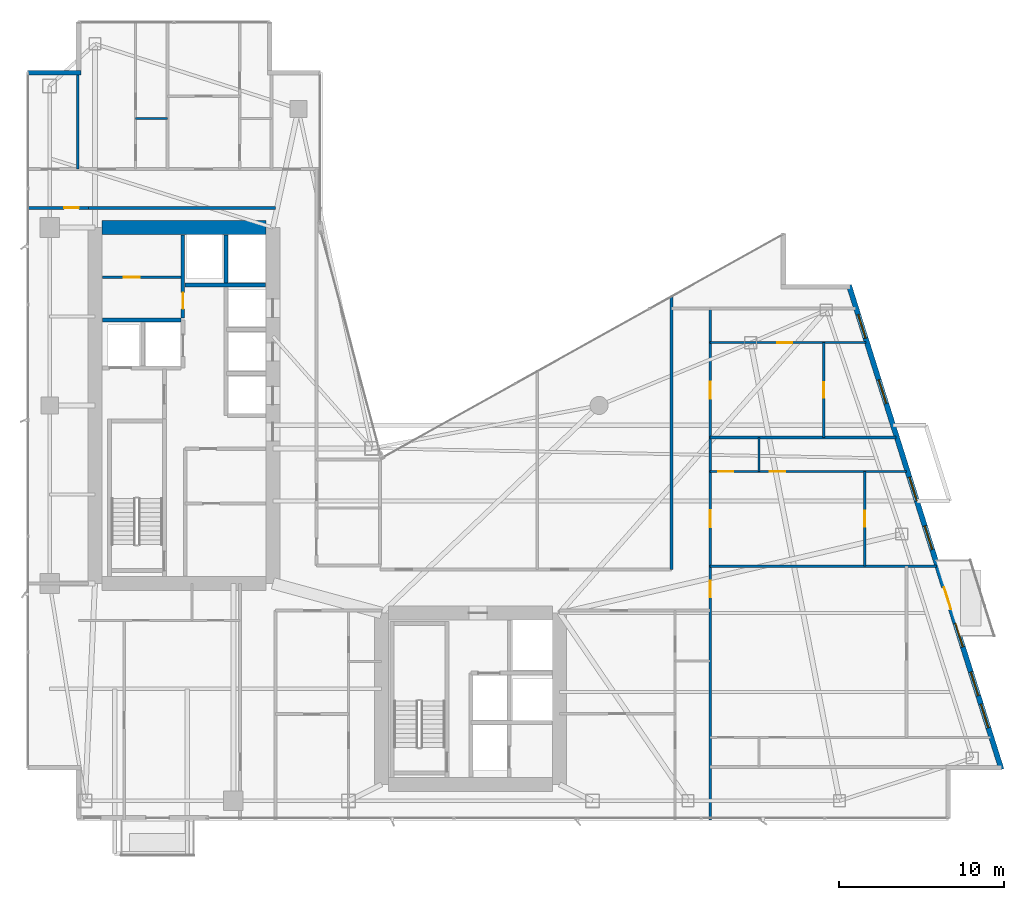
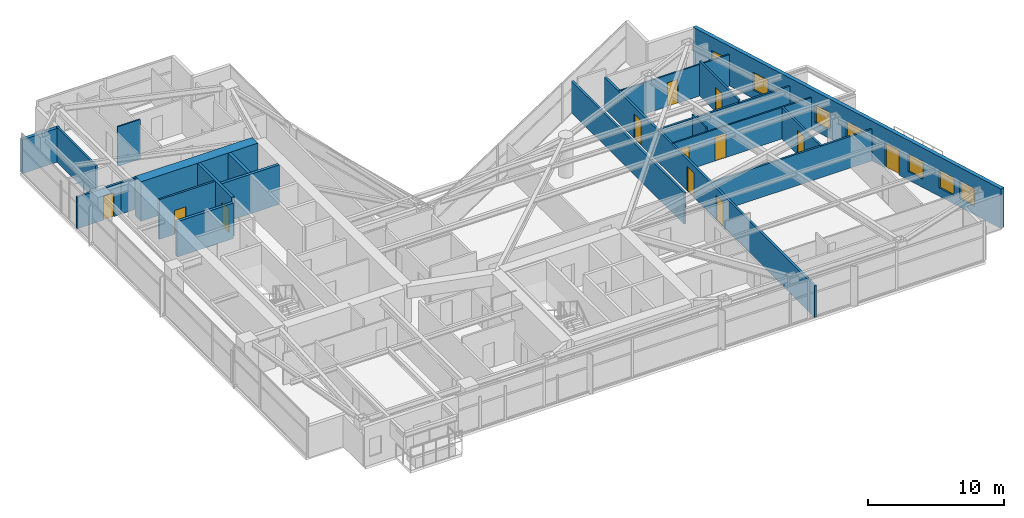
# One storey, part 24 of 28: 21 walls, 12 doors, 7 windows, 19 openings.
"""IFC4 building model written with IfcOpenShell, lengths in metres."""

from ifc_helpers import new_model, si_unit, direction, frame, frame_2d, origin, place, context, subcontext, project, spatial, rectangle, extrude, material, layer, layer_set, type_object, element, fill, save


model = new_model("IFC4")

# Units and contexts
model_context = context("Model", 3, precision=1e-05, world=origin(), true_north=direction((0.0, 1.0)))
body_context = subcontext(model_context, "Body", "Model", "MODEL_VIEW")
ifc_project = project(units=[si_unit("LENGTHUNIT", "METRE"), si_unit("AREAUNIT", "SQUARE_METRE"), si_unit("VOLUMEUNIT", "CUBIC_METRE"), si_unit("PLANEANGLEUNIT", "RADIAN"), si_unit("MASSUNIT", "GRAM", prefix="KILO")], contexts=[model_context])

# Site, building, storey
site_placement = place(None, origin())
site = spatial("IfcSite", under=ifc_project, at=site_placement, CompositionType="ELEMENT")
building_placement = place(site_placement, origin())
building = spatial("IfcBuilding", under=site, at=building_placement, Name="Calvorn Quay Hotel", CompositionType="ELEMENT")
storey_placement = place(building_placement, frame((0.0, 0.0, 131.60009765625)))
storey = spatial("IfcBuildingStorey", under=building, at=storey_placement, Name="L32", CompositionType="ELEMENT", Elevation=131.60009765625)

# Wall
ifc_material_1 = material(Name="Concrete C50", Category="concrete")
ifc_layer_1 = layer(ifc_material_1, 0.85009765625)
ifc_layer_set_1 = layer_set([ifc_layer_1], Name="WL-CORE-850")
wall_type_1 = type_object("IfcWallType", Name="WL-CORE-850", PredefinedType="SHEAR", material=ifc_layer_set_1)
wall_1_placement = place(storey_placement, frame((4.625, 38.39990234375, 0.0), z_axis=(0.0, 0.0, 1.0), x_axis=(1.0, 0.0, 0.0)))
element("IfcWall", 1, at=wall_1_placement, inside=storey, type_object=wall_type_1, Name="West Core Shear Wall N (L32)", PredefinedType="SHEAR", context=body_context, shape_type="SweptSolid", body=[
    extrude(rectangle(XDim=9.949951171875, YDim=0.85009765625, at=frame_2d((4.97509765625, 0.0))), origin(), (0.0, 0.0, 1.0), 3.559814453125),
])

# Wall, opening, door
ifc_material_2 = material(Name="Acoustic Fireboard Steel-Stud Partition", Category="steel")
ifc_layer_2 = layer(ifc_material_2, 0.179931640625)
ifc_layer_set_2 = layer_set([ifc_layer_2], Name="WL-CORR-FIRE-180")
wall_type_2 = type_object("IfcWallType", Name="WL-CORR-FIRE-180", PredefinedType="PARTITIONING", material=ifc_layer_set_2)
wall_2_placement = place(storey_placement, frame((0.080078125, 39.60009765625, 0.0), z_axis=(0.0, 0.0, 1.0), x_axis=(1.0, 0.0, 0.0)))
wall_2 = element("IfcWall", 2, at=wall_2_placement, inside=storey, type_object=wall_type_2, Name="Partition Wall L32-WL-WBAY-N-DOOR", PredefinedType="PARTITIONING", context=body_context, shape_type="SweptSolid", body=[
    extrude(rectangle(XDim=3.724853515625, YDim=0.179931640625, at=frame_2d((1.8623046875, 0.0))), origin(), (0.0, 0.0, 1.0), 2.83984375),
])
opening_1_placement = place(wall_2_placement, frame((2.25, 0.0, 0.0)))
opening_1 = element("IfcOpeningElement", 3, at=opening_1_placement, cuts=wall_2, Name="Opening D-L32-WBN", PredefinedType="OPENING", context=body_context, shape_type="SweptSolid", body=[
    extrude(rectangle(XDim=0.89990234375, YDim=2.14990234375, at=frame_2d((0.449951171875, 1.074951171875))), frame((0.0, 0.099853515625, 0.0), z_axis=(0.0, -1.0, 0.0), x_axis=(1.0, 0.0, 0.0)), (0.0, 0.0, 1.0), 0.199951171875),
])
ifc_material_3 = material(Name="Moisture-Sealed Timber En-Suite Door", Category="wood")
door_type_1 = type_object("IfcDoorType", Name="DR-ENSUITE-900", OperationType="NOTDEFINED", PredefinedType="DOOR", material=ifc_material_3)
door_1_placement = place(opening_1_placement, origin())
door_1 = element("IfcDoor", 4, at=door_1_placement, inside=storey, type_object=door_type_1, Name="West North Bay Door (L32)", OperationType="SINGLE_SWING_LEFT", OverallHeight=2.14990234375, OverallWidth=0.89990234375, PredefinedType="DOOR", context=body_context, shape_type="SweptSolid", body=[
    extrude(rectangle(XDim=0.89990234375, YDim=2.14990234375, at=frame_2d((0.449951171875, 1.074951171875))), frame((0.0, 0.02490234375, 0.0), z_axis=(0.0, -1.0, 0.0), x_axis=(1.0, 0.0, 0.0)), (0.0, 0.0, 1.0), 0.050048828125),
])
fill(opening_1, door_1)

# Walls
wall_3_placement = place(storey_placement, frame((3.7548828125, 39.60009765625, 0.0), z_axis=(0.0, 0.0, 1.0), x_axis=(1.0, 0.0, 0.0)))
element("IfcWall", 5, at=wall_3_placement, inside=storey, type_object=wall_type_2, Name="Partition Wall L32-WL-W-SPUR-S", PredefinedType="PARTITIONING", context=body_context, shape_type="SweptSolid", body=[
    extrude(rectangle(XDim=11.39501953125, YDim=0.179931640625, at=frame_2d((5.697509765625, 0.0))), origin(), (0.0, 0.0, 1.0), 2.83984375),
])
wall_4_placement = place(storey_placement, frame((39.199951171875, 17.64990234375, 0.0), z_axis=(0.0, 0.0, 1.0), x_axis=(0.0, 1.0, 0.0)))
element("IfcWall", 6, at=wall_4_placement, inside=storey, type_object=wall_type_2, Name="Partition Wall L32-WL-NE-END-E", PredefinedType="PARTITIONING", context=body_context, shape_type="SweptSolid", body=[
    extrude(rectangle(XDim=16.64013671875, YDim=0.179931640625, at=frame_2d((8.320068359375, 0.0))), origin(), (0.0, 0.0, 1.0), 2.83984375),
])

# Wall, openings, doors
wall_5_placement = place(storey_placement, frame((41.550048828125, 2.43994140625, 0.0), z_axis=(0.0, 0.0, 1.0), x_axis=(0.0, 1.0, 0.0)))
wall_5 = element("IfcWall", 7, at=wall_5_placement, inside=storey, type_object=wall_type_2, Name="Partition Wall L32-WL-CORR-TIP-E", PredefinedType="PARTITIONING", context=body_context, shape_type="SweptSolid", body=[
    extrude(rectangle(XDim=31.0400390625, YDim=0.179931640625, at=frame_2d((15.52001953125, 0.0))), origin(), (0.0, 0.0, 1.0), 2.83984375),
])
opening_2_placement = place(wall_5_placement, frame((13.510009765625, 0.0, 0.0)))
opening_2 = element("IfcOpeningElement", 8, at=opening_2_placement, cuts=wall_5, Name="Opening D-L32-U06", PredefinedType="OPENING", context=body_context, shape_type="SweptSolid", body=[
    extrude(rectangle(XDim=1.02001953125, YDim=2.199951171875, at=frame_2d((0.510009765625, 1.10009765625))), frame((0.0, 0.099853515625, 0.0), z_axis=(0.0, -1.0, 0.0), x_axis=(1.0, 0.0, 0.0)), (0.0, 0.0, 1.0), 0.199951171875),
])
opening_3_placement = place(wall_5_placement, frame((17.77001953125, 0.0, 0.0)))
opening_3 = element("IfcOpeningElement", 9, at=opening_3_placement, cuts=wall_5, Name="Opening D-L32-U07", PredefinedType="OPENING", context=body_context, shape_type="SweptSolid", body=[
    extrude(rectangle(XDim=1.02001953125, YDim=2.199951171875, at=frame_2d((0.510009765625, 1.10009765625))), frame((0.0, 0.099853515625, 0.0), z_axis=(0.0, -1.0, 0.0), x_axis=(1.0, 0.0, 0.0)), (0.0, 0.0, 1.0), 0.199951171875),
])
opening_4_placement = place(wall_5_placement, frame((25.580078125, 0.0, 0.0)))
opening_4 = element("IfcOpeningElement", 10, at=opening_4_placement, cuts=wall_5, Name="Opening D-L32-U08", PredefinedType="OPENING", context=body_context, shape_type="SweptSolid", body=[
    extrude(rectangle(XDim=1.02001953125, YDim=2.199951171875, at=frame_2d((0.510009765625, 1.10009765625))), frame((0.0, 0.099853515625, 0.0), z_axis=(0.0, -1.0, 0.0), x_axis=(1.0, 0.0, 0.0)), (0.0, 0.0, 1.0), 0.199951171875),
])
ifc_material_4 = material(Name="Solid-Core Walnut Veneer Hotel Fire Door")
door_type_2 = type_object("IfcDoorType", Name="DR-GUEST-ENTRY-1020", OperationType="NOTDEFINED", PredefinedType="DOOR", material=ifc_material_4)
door_2_placement = place(opening_2_placement, origin())
door_2 = element("IfcDoor", 11, at=door_2_placement, inside=storey, type_object=door_type_2, Name="Terrace Suite Door U06 (L32)", OperationType="SINGLE_SWING_LEFT", OverallHeight=2.199951171875, OverallWidth=1.02001953125, PredefinedType="DOOR", context=body_context, shape_type="SweptSolid", body=[
    extrude(rectangle(XDim=1.02001953125, YDim=2.199951171875, at=frame_2d((0.510009765625, 1.10009765625))), frame((0.0, 0.02490234375, 0.0), z_axis=(0.0, -1.0, 0.0), x_axis=(1.0, 0.0, 0.0)), (0.0, 0.0, 1.0), 0.050048828125),
])
fill(opening_2, door_2)
door_3_placement = place(opening_3_placement, origin())
door_3 = element("IfcDoor", 12, at=door_3_placement, inside=storey, type_object=door_type_2, Name="Mid-East Suite Door U07 (L32)", OperationType="SINGLE_SWING_RIGHT", OverallHeight=2.199951171875, OverallWidth=1.02001953125, PredefinedType="DOOR", context=body_context, shape_type="SweptSolid", body=[
    extrude(rectangle(XDim=1.02001953125, YDim=2.199951171875, at=frame_2d((0.510009765625, 1.10009765625))), frame((0.0, 0.02490234375, 0.0), z_axis=(0.0, -1.0, 0.0), x_axis=(1.0, 0.0, 0.0)), (0.0, 0.0, 1.0), 0.050048828125),
])
fill(opening_3, door_3)
door_4_placement = place(opening_4_placement, origin())
door_4 = element("IfcDoor", 13, at=door_4_placement, inside=storey, type_object=door_type_2, Name="Horizon Suite Door U08 (L32)", OperationType="SINGLE_SWING_LEFT", OverallHeight=2.199951171875, OverallWidth=1.02001953125, PredefinedType="DOOR", context=body_context, shape_type="SweptSolid", body=[
    extrude(rectangle(XDim=1.02001953125, YDim=2.199951171875, at=frame_2d((0.510009765625, 1.10009765625))), frame((0.0, 0.02490234375, 0.0), z_axis=(0.0, -1.0, 0.0), x_axis=(1.0, 0.0, 0.0)), (0.0, 0.0, 1.0), 0.050048828125),
])
fill(opening_4, door_4)

# Walls
ifc_material_5 = material(Name="Moisture-Resistant Tile-Backed Partition")
ifc_layer_3 = layer(ifc_material_5, 0.125)
ifc_layer_set_3 = layer_set([ifc_layer_3], Name="WL-ENSUITE-125")
wall_type_3 = type_object("IfcWallType", Name="WL-ENSUITE-125", PredefinedType="PARTITIONING", material=ifc_layer_set_3)
wall_6_placement = place(storey_placement, frame((6.669921875, 45.02001953125, 0.0), z_axis=(0.0, 0.0, 1.0), x_axis=(1.0, 0.0, 0.0)))
element("IfcWall", 14, at=wall_6_placement, inside=storey, type_object=wall_type_3, Name="Partition Wall L32-WL-U03-BDV", PredefinedType="PARTITIONING", context=body_context, shape_type="SweptSolid", body=[
    extrude(rectangle(XDim=1.93017578125, YDim=0.125, at=frame_2d((0.965087890625, 0.0))), origin(), (0.0, 0.0, 1.0), 3.559814453125),
])
wall_7_placement = place(storey_placement, frame((44.5, 23.590087890625, 0.0), z_axis=(0.0, 0.0, 1.0), x_axis=(0.0, 1.0, 0.0)))
element("IfcWall", 15, at=wall_7_placement, inside=storey, type_object=wall_type_3, Name="Partition Wall L32-WL-U07-BDV", PredefinedType="PARTITIONING", context=body_context, shape_type="SweptSolid", body=[
    extrude(rectangle(XDim=2.06982421875, YDim=0.125, at=frame_2d((1.034912109375, 0.0))), origin(), (0.0, 0.0, 1.0), 3.18994140625),
])

# Wall, openings, doors
wall_8_placement = place(storey_placement, frame((41.550048828125, 23.590087890625, 0.0), z_axis=(0.0, 0.0, 1.0), x_axis=(1.0, 0.0, 0.0)))
wall_8 = element("IfcWall", 16, at=wall_8_placement, inside=storey, type_object=wall_type_3, Name="Partition Wall L32-WL-U07-BH", PredefinedType="PARTITIONING", context=body_context, shape_type="SweptSolid", body=[
    extrude(rectangle(XDim=11.919921875, YDim=0.125, at=frame_2d((5.9599609375, 0.0))), origin(), (0.0, 0.0, 1.0), 2.83984375),
])
opening_5_placement = place(wall_8_placement, frame((0.5, 0.0, 0.0)))
opening_5 = element("IfcOpeningElement", 17, at=opening_5_placement, cuts=wall_8, Name="Opening D-L32-E07", PredefinedType="OPENING", context=body_context, shape_type="SweptSolid", body=[
    extrude(rectangle(XDim=0.89990234375, YDim=2.14990234375, at=frame_2d((0.449951171875, 1.074951171875))), frame((0.0, 0.072509765625, 0.0), z_axis=(0.0, -1.0, 0.0), x_axis=(1.0, 0.0, 0.0)), (0.0, 0.0, 1.0), 0.14501953125),
])
opening_6_placement = place(wall_8_placement, frame((3.60009765625, 0.0, 0.0)))
opening_6 = element("IfcOpeningElement", 18, at=opening_6_placement, cuts=wall_8, Name="Opening D-L32-S07", PredefinedType="OPENING", context=body_context, shape_type="SweptSolid", body=[
    extrude(rectangle(XDim=0.9599609375, YDim=2.199951171875, at=frame_2d((0.47998046875, 1.10009765625))), frame((0.0, 0.072509765625, 0.0), z_axis=(0.0, -1.0, 0.0), x_axis=(1.0, 0.0, 0.0)), (0.0, 0.0, 1.0), 0.14501953125),
])
door_5_placement = place(opening_5_placement, origin())
door_5 = element("IfcDoor", 19, at=door_5_placement, inside=storey, type_object=door_type_1, Name="En-Suite Door 07", OperationType="SINGLE_SWING_LEFT", OverallHeight=2.14990234375, OverallWidth=0.89990234375, PredefinedType="DOOR", context=body_context, shape_type="SweptSolid", body=[
    extrude(rectangle(XDim=0.89990234375, YDim=2.14990234375, at=frame_2d((0.449951171875, 1.074951171875))), frame((0.0, 0.02490234375, 0.0), z_axis=(0.0, -1.0, 0.0), x_axis=(1.0, 0.0, 0.0)), (0.0, 0.0, 1.0), 0.050048828125),
])
fill(opening_5, door_5)
ifc_material_6 = material(Name="Solid Timber Internal Suite Door", Category="wood")
door_type_3 = type_object("IfcDoorType", Name="DR-SUITE-INT-960", OperationType="NOTDEFINED", PredefinedType="DOOR", material=ifc_material_6)
door_6_placement = place(opening_6_placement, origin())
door_6 = element("IfcDoor", 20, at=door_6_placement, inside=storey, type_object=door_type_3, Name="Walk-In Wardrobe Door 07", OperationType="SINGLE_SWING_RIGHT", OverallHeight=2.199951171875, OverallWidth=0.9599609375, PredefinedType="DOOR", context=body_context, shape_type="SweptSolid", body=[
    extrude(rectangle(XDim=0.9599609375, YDim=2.199951171875, at=frame_2d((0.47998046875, 1.10009765625))), frame((0.0, 0.02490234375, 0.0), z_axis=(0.0, -1.0, 0.0), x_axis=(1.0, 0.0, 0.0)), (0.0, 0.0, 1.0), 0.050048828125),
])
fill(opening_6, door_6)

# Wall, opening, door
wall_9_placement = place(storey_placement, frame((41.550048828125, 31.409912109375, 0.0), z_axis=(0.0, 0.0, 1.0), x_axis=(1.0, 0.0, 0.0)))
wall_9 = element("IfcWall", 21, at=wall_9_placement, inside=storey, type_object=wall_type_3, Name="Partition Wall L32-WL-U08-BH", PredefinedType="PARTITIONING", context=body_context, shape_type="SweptSolid", body=[
    extrude(rectangle(XDim=9.4599609375, YDim=0.125, at=frame_2d((4.72998046875, 0.0))), origin(), (0.0, 0.0, 1.0), 2.83984375),
])
opening_7_placement = place(wall_9_placement, frame((4.070068359375, 0.0, 0.0)))
opening_7 = element("IfcOpeningElement", 22, at=opening_7_placement, cuts=wall_9, Name="Opening D-L32-E08", PredefinedType="OPENING", context=body_context, shape_type="SweptSolid", body=[
    extrude(rectangle(XDim=0.89990234375, YDim=2.14990234375, at=frame_2d((0.449951171875, 1.074951171875))), frame((0.0, 0.072509765625, 0.0), z_axis=(0.0, -1.0, 0.0), x_axis=(1.0, 0.0, 0.0)), (0.0, 0.0, 1.0), 0.14501953125),
])
door_7_placement = place(opening_7_placement, origin())
door_7 = element("IfcDoor", 23, at=door_7_placement, inside=storey, type_object=door_type_1, Name="En-Suite Door 08", OperationType="SINGLE_SWING_LEFT", OverallHeight=2.14990234375, OverallWidth=0.89990234375, PredefinedType="DOOR", context=body_context, shape_type="SweptSolid", body=[
    extrude(rectangle(XDim=0.89990234375, YDim=2.14990234375, at=frame_2d((0.449951171875, 1.074951171875))), frame((0.0, 0.02490234375, 0.0), z_axis=(0.0, -1.0, 0.0), x_axis=(1.0, 0.0, 0.0)), (0.0, 0.0, 1.0), 0.050048828125),
])
fill(opening_7, door_7)

# Wall
ifc_material_7 = material(Name="Concrete C40", Category="concrete")
ifc_layer_4 = layer(ifc_material_7, 0.320068359375)
ifc_layer_set_4 = layer_set([ifc_layer_4], Name="WL-EXT-SPANDREL-320")
wall_type_4 = type_object("IfcWallType", Name="WL-EXT-SPANDREL-320", PredefinedType="SOLIDWALL", material=ifc_layer_set_4)
wall_10_placement = place(storey_placement, frame((3.340087890625, 47.800048828125, 0.0), z_axis=(0.0, 0.0, 1.0), x_axis=(-1.0, 0.0, 0.0)))
element("IfcWall", 24, at=wall_10_placement, inside=storey, type_object=wall_type_4, Name="Notched Corner Spandrel L32-NW2", PredefinedType="SOLIDWALL", context=body_context, shape_type="SweptSolid", body=[
    extrude(rectangle(XDim=3.219970703125, YDim=0.280029296875, at=frame_2d((1.60986328125, 0.0))), origin(), (0.0, 0.0, 1.0), 3.039794921875),
])

# Wall, openings, door, windows
wall_11_placement = place(storey_placement, frame((59.22998046875, 5.5048828125, 0.0), z_axis=(0.0, 0.0, 1.0), x_axis=(-0.300509063924, 0.953778958931, 0.0)))
wall_11 = element("IfcWall", 25, at=wall_11_placement, inside=storey, type_object=wall_type_4, Name="East Stepped Waterfront Exterior Wall (L32)", PredefinedType="SOLIDWALL", context=body_context, shape_type="SweptSolid", body=[
    extrude(rectangle(XDim=30.814453125, YDim=0.320068359375, at=frame_2d((15.4072265625, 0.0))), origin(), (0.0, 0.0, 1.0), 3.559814453125),
])
opening_8_placement = place(wall_11_placement, frame((10.198974609375, 0.0, 0.0)))
opening_8 = element("IfcOpeningElement", 26, at=opening_8_placement, cuts=wall_11, Name="Opening DB-L32-1", PredefinedType="OPENING", context=body_context, shape_type="SweptSolid", body=[
    extrude(rectangle(XDim=1.39990234375, YDim=2.25, at=frame_2d((0.699951171875, 1.125))), frame((0.0, 0.169921875, 0.0), z_axis=(0.0, -1.0, 0.0), x_axis=(1.0, 0.0, 0.0)), (0.0, 0.0, 1.0), 0.340087890625),
])
opening_9_placement = place(wall_11_placement, frame((2.64990234375, 0.0, 0.75)))
opening_9 = element("IfcOpeningElement", 27, at=opening_9_placement, cuts=wall_11, Name="Opening WG-L32-E1", PredefinedType="OPENING", context=body_context, shape_type="SweptSolid", body=[
    extrude(rectangle(XDim=1.5, YDim=1.60009765625, at=frame_2d((0.75, 0.800048828125))), frame((0.0, 0.169921875, 0.0), z_axis=(0.0, -1.0, 0.0), x_axis=(1.0, 0.0, 0.0)), (0.0, 0.0, 1.0), 0.340087890625),
])
opening_10_placement = place(wall_11_placement, frame((4.699951171875, 0.0, 0.75)))
opening_10 = element("IfcOpeningElement", 28, at=opening_10_placement, cuts=wall_11, Name="Opening WG-L32-E2", PredefinedType="OPENING", context=body_context, shape_type="SweptSolid", body=[
    extrude(rectangle(XDim=1.5, YDim=1.60009765625, at=frame_2d((0.75, 0.800048828125))), frame((0.0, 0.169921875, 0.0), z_axis=(0.0, -1.0, 0.0), x_axis=(1.0, 0.0, 0.0)), (0.0, 0.0, 1.0), 0.340087890625),
])
opening_11_placement = place(wall_11_placement, frame((7.800048828125, 0.0, 0.75)))
opening_11 = element("IfcOpeningElement", 29, at=opening_11_placement, cuts=wall_11, Name="Opening WG-L32-E3", PredefinedType="OPENING", context=body_context, shape_type="SweptSolid", body=[
    extrude(rectangle(XDim=1.5, YDim=1.60009765625, at=frame_2d((0.75, 0.800048828125))), frame((0.0, 0.169921875, 0.0), z_axis=(0.0, -1.0, 0.0), x_axis=(1.0, 0.0, 0.0)), (0.0, 0.0, 1.0), 0.340087890625),
])
opening_12_placement = place(wall_11_placement, frame((14.0, 0.0, 0.75)))
opening_12 = element("IfcOpeningElement", 30, at=opening_12_placement, cuts=wall_11, Name="Opening WG-L32-E4", PredefinedType="OPENING", context=body_context, shape_type="SweptSolid", body=[
    extrude(rectangle(XDim=1.5, YDim=1.60009765625, at=frame_2d((0.75, 0.800048828125))), frame((0.0, 0.169921875, 0.0), z_axis=(0.0, -1.0, 0.0), x_axis=(1.0, 0.0, 0.0)), (0.0, 0.0, 1.0), 0.340087890625),
])
opening_13_placement = place(wall_11_placement, frame((17.10009765625, 0.0, 0.75)))
opening_13 = element("IfcOpeningElement", 31, at=opening_13_placement, cuts=wall_11, Name="Opening WG-L32-E5", PredefinedType="OPENING", context=body_context, shape_type="SweptSolid", body=[
    extrude(rectangle(XDim=1.5, YDim=1.60009765625, at=frame_2d((0.75, 0.800048828125))), frame((0.0, 0.169921875, 0.0), z_axis=(0.0, -1.0, 0.0), x_axis=(1.0, 0.0, 0.0)), (0.0, 0.0, 1.0), 0.340087890625),
])
opening_14_placement = place(wall_11_placement, frame((23.300048828125, 0.0, 0.75)))
opening_14 = element("IfcOpeningElement", 32, at=opening_14_placement, cuts=wall_11, Name="Opening WG-L32-E6", PredefinedType="OPENING", context=body_context, shape_type="SweptSolid", body=[
    extrude(rectangle(XDim=1.5, YDim=1.60009765625, at=frame_2d((0.75, 0.800048828125))), frame((0.0, 0.169921875, 0.0), z_axis=(0.0, -1.0, 0.0), x_axis=(1.0, 0.0, 0.0)), (0.0, 0.0, 1.0), 0.340087890625),
])
opening_15_placement = place(wall_11_placement, frame((27.449951171875, 0.0, 0.75)))
opening_15 = element("IfcOpeningElement", 33, at=opening_15_placement, cuts=wall_11, Name="Opening WG-L32-E7", PredefinedType="OPENING", context=body_context, shape_type="SweptSolid", body=[
    extrude(rectangle(XDim=1.5, YDim=1.60009765625, at=frame_2d((0.75, 0.800048828125))), frame((0.0, 0.169921875, 0.0), z_axis=(0.0, -1.0, 0.0), x_axis=(1.0, 0.0, 0.0)), (0.0, 0.0, 1.0), 0.340087890625),
])
ifc_material_8 = material(Name="Typhoon-Rated Low-E Aluminium Terrace Door", Category="aluminium")
door_type_4 = type_object("IfcDoorType", Name="DR-BALCONY-GLZ-1400", OperationType="NOTDEFINED", PredefinedType="DOOR", material=ifc_material_8)
door_8_placement = place(opening_8_placement, origin())
door_8 = element("IfcDoor", 34, at=door_8_placement, inside=storey, type_object=door_type_4, Name="Tree Balcony Terrace Door L32-BALC-E", OperationType="SINGLE_SWING_LEFT", OverallHeight=2.25, OverallWidth=1.39990234375, PredefinedType="DOOR", context=body_context, shape_type="SweptSolid", body=[
    extrude(rectangle(XDim=1.39990234375, YDim=2.25, at=frame_2d((0.699951171875, 1.125))), frame((0.0, 0.02490234375, 0.0), z_axis=(0.0, -1.0, 0.0), x_axis=(1.0, 0.0, 0.0)), (0.0, 0.0, 1.0), 0.050048828125),
])
fill(opening_8, door_8)
ifc_material_9 = material(Name="Self-Closing Class B Fire Window")
window_type = type_object("IfcWindowType", Name="WIN-REFUGE-1500x1600", PartitioningType="SINGLE_PANEL", PredefinedType="WINDOW", material=ifc_material_9)
window_1_placement = place(opening_9_placement, origin())
window_1 = element("IfcWindow", 35, at=window_1_placement, inside=storey, type_object=window_type, Name="East Facade Window L32-E1", OverallHeight=1.60009765625, OverallWidth=1.5, PartitioningType="SINGLE_PANEL", PredefinedType="WINDOW", context=body_context, shape_type="SweptSolid", body=[
    extrude(rectangle(XDim=1.5, YDim=1.60009765625, at=frame_2d((0.75, 0.800048828125))), frame((0.0, 0.030029296875, 0.0), z_axis=(0.0, -1.0, 0.0), x_axis=(1.0, 0.0, 0.0)), (0.0, 0.0, 1.0), 0.06005859375),
])
fill(opening_9, window_1)
window_2_placement = place(opening_10_placement, origin())
window_2 = element("IfcWindow", 36, at=window_2_placement, inside=storey, type_object=window_type, Name="East Facade Window L32-E2", OverallHeight=1.60009765625, OverallWidth=1.5, PartitioningType="SINGLE_PANEL", PredefinedType="WINDOW", context=body_context, shape_type="SweptSolid", body=[
    extrude(rectangle(XDim=1.5, YDim=1.60009765625, at=frame_2d((0.75, 0.800048828125))), frame((0.0, 0.030029296875, 0.0), z_axis=(0.0, -1.0, 0.0), x_axis=(1.0, 0.0, 0.0)), (0.0, 0.0, 1.0), 0.06005859375),
])
fill(opening_10, window_2)
window_3_placement = place(opening_11_placement, origin())
window_3 = element("IfcWindow", 37, at=window_3_placement, inside=storey, type_object=window_type, Name="East Facade Window L32-E3", OverallHeight=1.60009765625, OverallWidth=1.5, PartitioningType="SINGLE_PANEL", PredefinedType="WINDOW", context=body_context, shape_type="SweptSolid", body=[
    extrude(rectangle(XDim=1.5, YDim=1.60009765625, at=frame_2d((0.75, 0.800048828125))), frame((0.0, 0.030029296875, 0.0), z_axis=(0.0, -1.0, 0.0), x_axis=(1.0, 0.0, 0.0)), (0.0, 0.0, 1.0), 0.06005859375),
])
fill(opening_11, window_3)
window_4_placement = place(opening_12_placement, origin())
window_4 = element("IfcWindow", 38, at=window_4_placement, inside=storey, type_object=window_type, Name="East Facade Window L32-E4", OverallHeight=1.60009765625, OverallWidth=1.5, PartitioningType="SINGLE_PANEL", PredefinedType="WINDOW", context=body_context, shape_type="SweptSolid", body=[
    extrude(rectangle(XDim=1.5, YDim=1.60009765625, at=frame_2d((0.75, 0.800048828125))), frame((0.0, 0.030029296875, 0.0), z_axis=(0.0, -1.0, 0.0), x_axis=(1.0, 0.0, 0.0)), (0.0, 0.0, 1.0), 0.06005859375),
])
fill(opening_12, window_4)
window_5_placement = place(opening_13_placement, origin())
window_5 = element("IfcWindow", 39, at=window_5_placement, inside=storey, type_object=window_type, Name="East Facade Window L32-E5", OverallHeight=1.60009765625, OverallWidth=1.5, PartitioningType="SINGLE_PANEL", PredefinedType="WINDOW", context=body_context, shape_type="SweptSolid", body=[
    extrude(rectangle(XDim=1.5, YDim=1.60009765625, at=frame_2d((0.75, 0.800048828125))), frame((0.0, 0.030029296875, 0.0), z_axis=(0.0, -1.0, 0.0), x_axis=(1.0, 0.0, 0.0)), (0.0, 0.0, 1.0), 0.06005859375),
])
fill(opening_13, window_5)
window_6_placement = place(opening_14_placement, origin())
window_6 = element("IfcWindow", 40, at=window_6_placement, inside=storey, type_object=window_type, Name="East Facade Window L32-E6", OverallHeight=1.60009765625, OverallWidth=1.5, PartitioningType="SINGLE_PANEL", PredefinedType="WINDOW", context=body_context, shape_type="SweptSolid", body=[
    extrude(rectangle(XDim=1.5, YDim=1.60009765625, at=frame_2d((0.75, 0.800048828125))), frame((0.0, 0.030029296875, 0.0), z_axis=(0.0, -1.0, 0.0), x_axis=(1.0, 0.0, 0.0)), (0.0, 0.0, 1.0), 0.06005859375),
])
fill(opening_14, window_6)
window_7_placement = place(opening_15_placement, origin())
window_7 = element("IfcWindow", 41, at=window_7_placement, inside=storey, type_object=window_type, Name="East Facade Window L32-E7", OverallHeight=1.60009765625, OverallWidth=1.5, PartitioningType="SINGLE_PANEL", PredefinedType="WINDOW", context=body_context, shape_type="SweptSolid", body=[
    extrude(rectangle(XDim=1.5, YDim=1.60009765625, at=frame_2d((0.75, 0.800048828125))), frame((0.0, 0.030029296875, 0.0), z_axis=(0.0, -1.0, 0.0), x_axis=(1.0, 0.0, 0.0)), (0.0, 0.0, 1.0), 0.06005859375),
])
fill(opening_15, window_7)

# Wall, opening, door
ifc_material_10 = material(Name="Double-Stud Acoustic Gypsum Partition")
ifc_layer_5 = layer(ifc_material_10, 0.159912109375)
ifc_layer_set_5 = layer_set([ifc_layer_5], Name="WL-INTERSUITE-160")
wall_type_5 = type_object("IfcWallType", Name="WL-INTERSUITE-160", PredefinedType="PARTITIONING", material=ifc_layer_set_5)
wall_12_placement = place(storey_placement, frame((4.64501953125, 35.3798828125, 0.0), z_axis=(0.0, 0.0, 1.0), x_axis=(1.0, 0.0, 0.0)))
wall_12 = element("IfcWall", 42, at=wall_12_placement, inside=storey, type_object=wall_type_5, Name="Partition Wall L32-WL-CWW-K-MID", PredefinedType="PARTITIONING", context=body_context, shape_type="SweptSolid", body=[
    extrude(rectangle(XDim=4.77490234375, YDim=0.159912109375, at=frame_2d((2.387451171875, 0.0))), origin(), (0.0, 0.0, 1.0), 3.559814453125),
])
opening_16_placement = place(wall_12_placement, frame((1.300048828125, 0.0, 0.0)))
opening_16 = element("IfcOpeningElement", 43, at=opening_16_placement, cuts=wall_12, Name="Opening D-L32-CK2", PredefinedType="OPENING", context=body_context, shape_type="SweptSolid", body=[
    extrude(rectangle(XDim=0.97998046875, YDim=2.14990234375, at=frame_2d((0.489990234375, 1.074951171875))), frame((0.0, 0.08984375, 0.0), z_axis=(0.0, -1.0, 0.0), x_axis=(1.0, 0.0, 0.0)), (0.0, 0.0, 1.0), 0.179931640625),
])
ifc_material_11 = material(Name="Painted Steel Housekeeping/Riser Fire Door", Category="steel")
door_type_5 = type_object("IfcDoorType", Name="DR-SERVICE-980", OperationType="NOTDEFINED", PredefinedType="DOOR", material=ifc_material_11)
door_9_placement = place(opening_16_placement, origin())
door_9 = element("IfcDoor", 44, at=door_9_placement, inside=storey, type_object=door_type_5, Name="Electrical Riser Door (L32)", OperationType="SINGLE_SWING_RIGHT", OverallHeight=2.14990234375, OverallWidth=0.97998046875, PredefinedType="DOOR", context=body_context, shape_type="SweptSolid", body=[
    extrude(rectangle(XDim=0.97998046875, YDim=2.14990234375, at=frame_2d((0.489990234375, 1.074951171875))), frame((0.0, 0.02490234375, 0.0), z_axis=(0.0, -1.0, 0.0), x_axis=(1.0, 0.0, 0.0)), (0.0, 0.0, 1.0), 0.050048828125),
])
fill(opening_16, door_9)

# Wall
wall_13_placement = place(storey_placement, frame((3.14990234375, 41.949951171875, 0.0), z_axis=(0.0, 0.0, 1.0), x_axis=(0.0, 1.0, 0.0)))
element("IfcWall", 45, at=wall_13_placement, inside=storey, type_object=wall_type_5, Name="Partition Wall L32-WL-NW-DIV-W0", PredefinedType="PARTITIONING", context=body_context, shape_type="SweptSolid", body=[
    extrude(rectangle(XDim=5.85009765625, YDim=0.159912109375, at=frame_2d((2.925048828125, 0.0))), origin(), (0.0, 0.0, 1.0), 3.139892578125),
])

# Wall, opening, door
wall_14_placement = place(storey_placement, frame((50.919921875, 17.85009765625, 0.0), z_axis=(0.0, 0.0, 1.0), x_axis=(0.0, 1.0, 0.0)))
wall_14 = element("IfcWall", 46, at=wall_14_placement, inside=storey, type_object=wall_type_5, Name="Partition Wall L32-WL-U07-MSP", PredefinedType="PARTITIONING", context=body_context, shape_type="SweptSolid", body=[
    extrude(rectangle(XDim=5.739990234375, YDim=0.159912109375, at=frame_2d((2.8701171875, 0.0))), origin(), (0.0, 0.0, 1.0), 2.83984375),
])
opening_17_placement = place(wall_14_placement, frame((2.389892578125, 0.0, 0.0)))
opening_17 = element("IfcOpeningElement", 47, at=opening_17_placement, cuts=wall_14, Name="Opening D-L32-M07", PredefinedType="OPENING", context=body_context, shape_type="SweptSolid", body=[
    extrude(rectangle(XDim=0.9599609375, YDim=2.199951171875, at=frame_2d((0.47998046875, 1.10009765625))), frame((0.0, 0.08984375, 0.0), z_axis=(0.0, -1.0, 0.0), x_axis=(1.0, 0.0, 0.0)), (0.0, 0.0, 1.0), 0.179931640625),
])
door_10_placement = place(opening_17_placement, origin())
door_10 = element("IfcDoor", 48, at=door_10_placement, inside=storey, type_object=door_type_3, Name="Suite Bedroom Door 07", OperationType="SINGLE_SWING_LEFT", OverallHeight=2.199951171875, OverallWidth=0.9599609375, PredefinedType="DOOR", context=body_context, shape_type="SweptSolid", body=[
    extrude(rectangle(XDim=0.9599609375, YDim=2.199951171875, at=frame_2d((0.47998046875, 1.10009765625))), frame((0.0, 0.02490234375, 0.0), z_axis=(0.0, -1.0, 0.0), x_axis=(1.0, 0.0, 0.0)), (0.0, 0.0, 1.0), 0.050048828125),
])
fill(opening_17, door_10)

wall_15_placement = place(storey_placement, frame((48.449951171875, 25.659912109375, 0.0), z_axis=(0.0, 0.0, 1.0), x_axis=(0.0, 1.0, 0.0)))
wall_15 = element("IfcWall", 49, at=wall_15_placement, inside=storey, type_object=wall_type_5, Name="Partition Wall L32-WL-U08-MSP", PredefinedType="PARTITIONING", context=body_context, shape_type="SweptSolid", body=[
    extrude(rectangle(XDim=5.75, YDim=0.159912109375, at=frame_2d((2.875, 0.0))), origin(), (0.0, 0.0, 1.0), 3.08984375),
])
opening_18_placement = place(wall_15_placement, frame((2.39990234375, 0.0, 0.0)))
opening_18 = element("IfcOpeningElement", 50, at=opening_18_placement, cuts=wall_15, Name="Opening D-L32-M08", PredefinedType="OPENING", context=body_context, shape_type="SweptSolid", body=[
    extrude(rectangle(XDim=0.9599609375, YDim=2.199951171875, at=frame_2d((0.47998046875, 1.10009765625))), frame((0.0, 0.08984375, 0.0), z_axis=(0.0, -1.0, 0.0), x_axis=(1.0, 0.0, 0.0)), (0.0, 0.0, 1.0), 0.179931640625),
])
door_11_placement = place(opening_18_placement, origin())
door_11 = element("IfcDoor", 51, at=door_11_placement, inside=storey, type_object=door_type_3, Name="Suite Bedroom Door 08", OperationType="SINGLE_SWING_LEFT", OverallHeight=2.199951171875, OverallWidth=0.9599609375, PredefinedType="DOOR", context=body_context, shape_type="SweptSolid", body=[
    extrude(rectangle(XDim=0.9599609375, YDim=2.199951171875, at=frame_2d((0.47998046875, 1.10009765625))), frame((0.0, 0.02490234375, 0.0), z_axis=(0.0, -1.0, 0.0), x_axis=(1.0, 0.0, 0.0)), (0.0, 0.0, 1.0), 0.050048828125),
])
fill(opening_18, door_11)

# Walls
wall_16_placement = place(storey_placement, frame((41.550048828125, 25.659912109375, 0.0), z_axis=(0.0, 0.0, 1.0), x_axis=(1.0, 0.0, 0.0)))
element("IfcWall", 52, at=wall_16_placement, inside=storey, type_object=wall_type_5, Name="Partition Wall L32-WL-TIP-DIV2", PredefinedType="PARTITIONING", context=body_context, shape_type="SweptSolid", body=[
    extrude(rectangle(XDim=11.27001953125, YDim=0.159912109375, at=frame_2d((5.635009765625, 0.0))), origin(), (0.0, 0.0, 1.0), 2.83984375),
])
wall_17_placement = place(storey_placement, frame((41.550048828125, 17.85009765625, 0.0), z_axis=(0.0, 0.0, 1.0), x_axis=(1.0, 0.0, 0.0)))
element("IfcWall", 53, at=wall_17_placement, inside=storey, type_object=wall_type_5, Name="Partition Wall L32-WL-TIP-DIV", PredefinedType="PARTITIONING", context=body_context, shape_type="SweptSolid", body=[
    extrude(rectangle(XDim=13.72998046875, YDim=0.159912109375, at=frame_2d((6.864990234375, 0.0))), origin(), (0.0, 0.0, 1.0), 2.83984375),
])

# Wall, opening, door
ifc_material_12 = material(Name="Autoclaved Aerated Masonry Block", Category="masonry")
ifc_layer_6 = layer(ifc_material_12, 0.219970703125)
ifc_layer_set_6 = layer_set([ifc_layer_6], Name="WL-LOBBY-FIRE-220")
wall_type_6 = type_object("IfcWallType", Name="WL-LOBBY-FIRE-220", PredefinedType="SOLIDWALL", material=ifc_layer_set_6)
wall_18_placement = place(storey_placement, frame((9.5400390625, 32.919921875, 0.0), z_axis=(0.0, 0.0, 1.0), x_axis=(0.0, 1.0, 0.0)))
wall_18 = element("IfcWall", 54, at=wall_18_placement, inside=storey, type_object=wall_type_6, Name="Partition Wall L32-WL-CWW-K-E", PredefinedType="SOLIDWALL", context=body_context, shape_type="SweptSolid", body=[
    extrude(rectangle(XDim=5.03515625, YDim=0.219970703125, at=frame_2d((2.517578125, 0.0))), origin(), (0.0, 0.0, 1.0), 3.559814453125),
])
opening_19_placement = place(wall_18_placement, frame((0.550048828125, 0.0, 0.0)))
opening_19 = element("IfcOpeningElement", 55, at=opening_19_placement, cuts=wall_18, Name="Opening D-L32-CK1", PredefinedType="OPENING", context=body_context, shape_type="SweptSolid", body=[
    extrude(rectangle(XDim=0.97998046875, YDim=2.14990234375, at=frame_2d((0.489990234375, 1.074951171875))), frame((0.0, 0.119873046875, 0.0), z_axis=(0.0, -1.0, 0.0), x_axis=(1.0, 0.0, 0.0)), (0.0, 0.0, 1.0), 0.239990234375),
])
door_12_placement = place(opening_19_placement, origin())
door_12 = element("IfcDoor", 56, at=door_12_placement, inside=storey, type_object=door_type_5, Name="Core Housekeeping Door (L32)", OperationType="SINGLE_SWING_LEFT", OverallHeight=2.14990234375, OverallWidth=0.97998046875, PredefinedType="DOOR", context=body_context, shape_type="SweptSolid", body=[
    extrude(rectangle(XDim=0.97998046875, YDim=2.14990234375, at=frame_2d((0.489990234375, 1.074951171875))), frame((0.0, 0.02490234375, 0.0), z_axis=(0.0, -1.0, 0.0), x_axis=(1.0, 0.0, 0.0)), (0.0, 0.0, 1.0), 0.050048828125),
])
fill(opening_19, door_12)

# Walls
ifc_material_13 = material(Name="Concrete C40", Category="concrete")
ifc_layer_7 = layer(ifc_material_13, 0.239990234375)
ifc_layer_set_7 = layer_set([ifc_layer_7], Name="WL-SHAFT-240")
wall_type_7 = type_object("IfcWallType", Name="WL-SHAFT-240", PredefinedType="SOLIDWALL", material=ifc_layer_set_7)
wall_19_placement = place(storey_placement, frame((4.64501953125, 32.780029296875, 0.0), z_axis=(0.0, 0.0, 1.0), x_axis=(1.0, 0.0, 0.0)))
element("IfcWall", 57, at=wall_19_placement, inside=storey, type_object=wall_type_7, Name="Partition Wall L32-WL-CWW-SLW-N", PredefinedType="SOLIDWALL", context=body_context, shape_type="SweptSolid", body=[
    extrude(rectangle(XDim=4.77490234375, YDim=0.239990234375, at=frame_2d((2.387451171875, 0.0))), origin(), (0.0, 0.0, 1.0), 3.18994140625),
])
wall_20_placement = place(storey_placement, frame((9.659912109375, 34.89990234375, 0.0), z_axis=(0.0, 0.0, 1.0), x_axis=(1.0, 0.0, 0.0)))
element("IfcWall", 58, at=wall_20_placement, inside=storey, type_object=wall_type_7, Name="Partition Wall L32-WL-CWW-PLH-S", PredefinedType="SOLIDWALL", context=body_context, shape_type="SweptSolid", body=[
    extrude(rectangle(XDim=4.89501953125, YDim=0.239990234375, at=frame_2d((2.447509765625, 0.0))), origin(), (0.0, 0.0, 1.0), 3.559814453125),
])
wall_21_placement = place(storey_placement, frame((12.14990234375, 35.02001953125, 0.0), z_axis=(0.0, 0.0, 1.0), x_axis=(0.0, 1.0, 0.0)))
element("IfcWall", 59, at=wall_21_placement, inside=storey, type_object=wall_type_7, Name="Partition Wall L32-WL-CWW-PLH-DIV", PredefinedType="SOLIDWALL", context=body_context, shape_type="SweptSolid", body=[
    extrude(rectangle(XDim=2.93505859375, YDim=0.239990234375, at=frame_2d((1.467529296875, 0.0))), origin(), (0.0, 0.0, 1.0), 3.559814453125),
])

save(model, "model.ifc")
